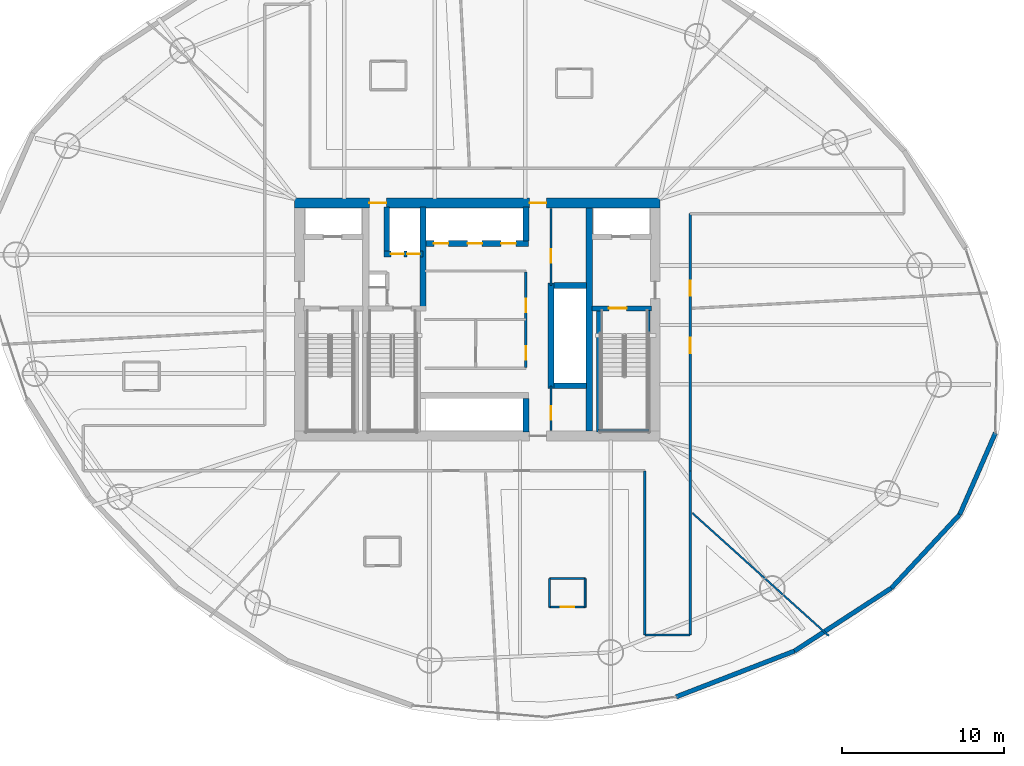
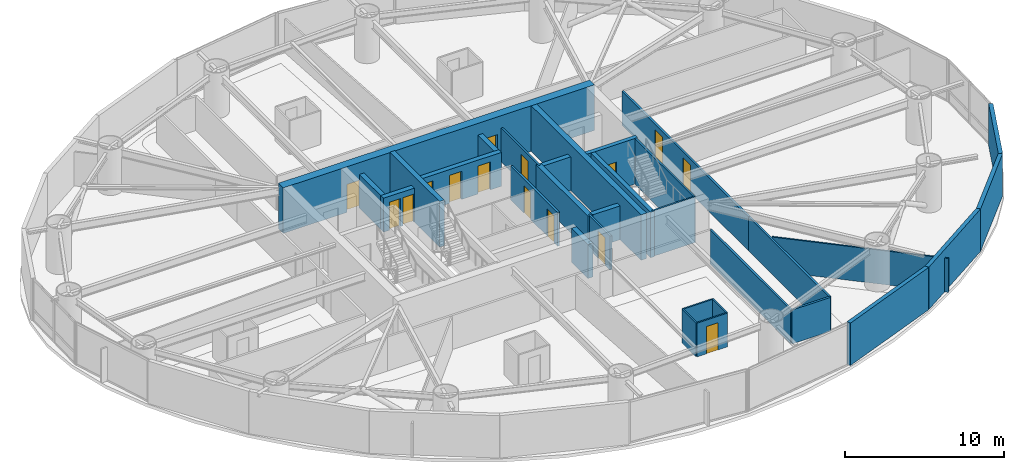
# One storey, part 19 of 24: 31 walls, 15 doors, 15 openings.
"""IFC4 building model written with IfcOpenShell, lengths in metres."""

from ifc_helpers import new_model, si_unit, direction, frame, frame_2d, origin, place, context, subcontext, project, spatial, rectangle, extrude, material, layer, layer_set, type_object, element, fill, save


model = new_model("IFC4")

# Units and contexts
model_context = context("Model", 3, precision=1e-05, world=origin(), true_north=direction((0.0, 1.0)))
body_context = subcontext(model_context, "Body", "Model", "MODEL_VIEW")
ifc_project = project(units=[si_unit("LENGTHUNIT", "METRE"), si_unit("AREAUNIT", "SQUARE_METRE"), si_unit("VOLUMEUNIT", "CUBIC_METRE"), si_unit("PLANEANGLEUNIT", "RADIAN"), si_unit("MASSUNIT", "GRAM", prefix="KILO")], contexts=[model_context])

# Site, building, storey
site_placement = place(None, origin())
site = spatial("IfcSite", under=ifc_project, at=site_placement, CompositionType="ELEMENT")
building_placement = place(site_placement, origin())
building = spatial("IfcBuilding", under=site, at=building_placement, Name="Bramvorn Convention Spire", CompositionType="ELEMENT")
storey_placement = place(building_placement, frame((0.0, 0.0, 83.39990234375)))
storey = spatial("IfcBuildingStorey", under=building, at=storey_placement, Name="L19", CompositionType="ELEMENT", Elevation=83.39990234375)

# Wall, openings, doors
ifc_material_1 = material(Name="Concrete C60/70", Category="concrete")
ifc_layer_1 = layer(ifc_material_1, 0.60009765625)
ifc_layer_set_1 = layer_set([ifc_layer_1], Name="Concrete C60/70 - WL-CORE-600")
wall_type_1 = type_object("IfcWallType", Name="WL-CORE-600", PredefinedType="SHEAR", material=ifc_layer_set_1)
wall_1_placement = place(storey_placement, frame((26.699951171875, 33.199951171875, 0.0), z_axis=(0.0, 0.0, 1.0), x_axis=(1.0, 0.0, 0.0)))
wall_1 = element("IfcWall", 1, at=wall_1_placement, inside=storey, type_object=wall_type_1, Name="L19 North RC core shear wall", PredefinedType="SHEAR", context=body_context, shape_type="SweptSolid", body=[
    extrude(rectangle(XDim=22.60009765625, YDim=0.60009765625, at=frame_2d((11.300048828125, 0.0))), origin(), (0.0, 0.0, 1.0), 3.5),
])
opening_1_placement = place(wall_1_placement, frame((4.6201171875, 0.0, 0.0)))
opening_1 = element("IfcOpeningElement", 2, at=opening_1_placement, cuts=wall_1, Name="Opening DL-105", PredefinedType="OPENING", context=body_context, shape_type="SweptSolid", body=[
    extrude(rectangle(XDim=1.050048828125, YDim=2.14990234375, at=frame_2d((0.52490234375, 1.074951171875))), frame((0.0, 0.31005859375, 0.0), z_axis=(0.0, -1.0, 0.0), x_axis=(1.0, 0.0, 0.0)), (0.0, 0.0, 1.0), 0.6201171875),
])
opening_2_placement = place(wall_1_placement, frame((14.52001953125, 0.0, 0.0)))
opening_2 = element("IfcOpeningElement", 3, at=opening_2_placement, cuts=wall_1, Name="Opening DL-105", PredefinedType="OPENING", context=body_context, shape_type="SweptSolid", body=[
    extrude(rectangle(XDim=1.050048828125, YDim=2.14990234375, at=frame_2d((0.52490234375, 1.074951171875))), frame((0.0, 0.31005859375, 0.0), z_axis=(0.0, -1.0, 0.0), x_axis=(1.0, 0.0, 0.0)), (0.0, 0.0, 1.0), 0.6201171875),
])
ifc_material_2 = material(Name="Smoke-Sealed Fire Lobby Timber-Core Door", Category="wood")
door_type_1 = type_object("IfcDoorType", Name="DR-LOBBY-1050", OperationType="NOTDEFINED", PredefinedType="DOOR", material=ifc_material_2)
door_1_placement = place(opening_1_placement, origin())
door_1 = element("IfcDoor", 4, at=door_1_placement, inside=storey, type_object=door_type_1, Name="L19 Service & Stair ST3 Lobby north corridor door", OperationType="SINGLE_SWING_LEFT", OverallHeight=2.14990234375, OverallWidth=1.050048828125, PredefinedType="DOOR", context=body_context, shape_type="SweptSolid", body=[
    extrude(rectangle(XDim=1.050048828125, YDim=2.14990234375, at=frame_2d((0.52490234375, 1.074951171875))), frame((0.0, 0.02490234375, 0.0), z_axis=(0.0, -1.0, 0.0), x_axis=(1.0, 0.0, 0.0)), (0.0, 0.0, 1.0), 0.050048828125),
])
fill(opening_1, door_1)
door_2_placement = place(opening_2_placement, origin())
door_2 = element("IfcDoor", 5, at=door_2_placement, inside=storey, type_object=door_type_1, Name="L19 North Lift Lobby fire door", OperationType="SINGLE_SWING_LEFT", OverallHeight=2.14990234375, OverallWidth=1.050048828125, PredefinedType="DOOR", context=body_context, shape_type="SweptSolid", body=[
    extrude(rectangle(XDim=1.050048828125, YDim=2.14990234375, at=frame_2d((0.52490234375, 1.074951171875))), frame((0.0, 0.02490234375, 0.0), z_axis=(0.0, -1.0, 0.0), x_axis=(1.0, 0.0, 0.0)), (0.0, 0.0, 1.0), 0.050048828125),
])
fill(opening_2, door_2)

# Wall
ifc_material_3 = material(Name="Concrete C50/60", Category="concrete")
ifc_layer_2 = layer(ifc_material_3, 0.35009765625)
ifc_layer_set_2 = layer_set([ifc_layer_2], Name="Concrete C50/60 - WL-CORE-INT-350")
wall_type_2 = type_object("IfcWallType", Name="WL-CORE-INT-350", PredefinedType="SHEAR", material=ifc_layer_set_2)
wall_2_placement = place(storey_placement, frame((34.639892578125, 26.68994140625, 0.0), z_axis=(0.0, 0.0, 1.0), x_axis=(0.0, 1.0, 0.0)))
element("IfcWall", 6, at=wall_2_placement, inside=storey, type_object=wall_type_2, Name="L19 SV east core shaft wall", PredefinedType="SHEAR", context=body_context, shape_type="SweptSolid", body=[
    extrude(rectangle(XDim=6.260009765625, YDim=0.35009765625, at=frame_2d((3.1298828125, 0.0))), origin(), (0.0, 0.0, 1.0), 3.5),
])

# Wall, openings, doors
wall_3_placement = place(storey_placement, frame((32.22998046875, 30.050048828125, 0.0), z_axis=(0.0, 0.0, 1.0), x_axis=(1.0, 0.0, 0.0)))
wall_3 = element("IfcWall", 7, at=wall_3_placement, inside=storey, type_object=wall_type_2, Name="L19 SV1/SV2 shaft front wall", PredefinedType="SHEAR", context=body_context, shape_type="SweptSolid", body=[
    extrude(rectangle(XDim=2.409912109375, YDim=0.35009765625, at=frame_2d((1.205078125, 0.0))), origin(), (0.0, 0.0, 1.0), 2.60009765625),
])
opening_3_placement = place(wall_3_placement, frame((0.419921875, 0.0, 0.0)))
opening_3 = element("IfcOpeningElement", 8, at=opening_3_placement, cuts=wall_3, Name="Opening LD-080", PredefinedType="OPENING", context=body_context, shape_type="SweptSolid", body=[
    extrude(rectangle(XDim=0.800048828125, YDim=2.14990234375, at=frame_2d((0.39990234375, 1.074951171875))), frame((0.0, 0.18505859375, 0.0), z_axis=(0.0, -1.0, 0.0), x_axis=(1.0, 0.0, 0.0)), (0.0, 0.0, 1.0), 0.3701171875),
])
opening_4_placement = place(wall_3_placement, frame((1.419921875, 0.0, 0.0)))
opening_4 = element("IfcOpeningElement", 9, at=opening_4_placement, cuts=wall_3, Name="Opening LD-080", PredefinedType="OPENING", context=body_context, shape_type="SweptSolid", body=[
    extrude(rectangle(XDim=0.800048828125, YDim=2.14990234375, at=frame_2d((0.39990234375, 1.074951171875))), frame((0.0, 0.18505859375, 0.0), z_axis=(0.0, -1.0, 0.0), x_axis=(1.0, 0.0, 0.0)), (0.0, 0.0, 1.0), 0.3701171875),
])
ifc_material_4 = material(Name="Service Lift Bi-Parting Landing Door", Category="steel")
door_type_2 = type_object("IfcDoorType", Name="DR-LIFT-LD-800", OperationType="NOTDEFINED", PredefinedType="DOOR", material=ifc_material_4)
door_3_placement = place(opening_3_placement, origin())
door_3 = element("IfcDoor", 10, at=door_3_placement, inside=storey, type_object=door_type_2, Name="L19 Lift SV1 Sliding Landing Door", OperationType="SLIDING_TO_LEFT", OverallHeight=2.14990234375, OverallWidth=0.800048828125, PredefinedType="DOOR", context=body_context, shape_type="SweptSolid", body=[
    extrude(rectangle(XDim=0.800048828125, YDim=2.14990234375, at=frame_2d((0.39990234375, 1.074951171875))), frame((0.0, 0.02490234375, 0.0), z_axis=(0.0, -1.0, 0.0), x_axis=(1.0, 0.0, 0.0)), (0.0, 0.0, 1.0), 0.050048828125),
])
fill(opening_3, door_3)
door_4_placement = place(opening_4_placement, origin())
door_4 = element("IfcDoor", 11, at=door_4_placement, inside=storey, type_object=door_type_2, Name="L19 Lift SV2 Sliding Landing Door", OperationType="SLIDING_TO_LEFT", OverallHeight=2.14990234375, OverallWidth=0.800048828125, PredefinedType="DOOR", context=body_context, shape_type="SweptSolid", body=[
    extrude(rectangle(XDim=0.800048828125, YDim=2.14990234375, at=frame_2d((0.39990234375, 1.074951171875))), frame((0.0, 0.02490234375, 0.0), z_axis=(0.0, -1.0, 0.0), x_axis=(1.0, 0.0, 0.0)), (0.0, 0.0, 1.0), 0.050048828125),
])
fill(opening_4, door_4)

# Walls
wall_4_placement = place(storey_placement, frame((32.39990234375, 30.219970703125, 0.0), z_axis=(0.0, 0.0, 1.0), x_axis=(0.0, 1.0, 0.0)))
element("IfcWall", 12, at=wall_4_placement, inside=storey, type_object=wall_type_2, Name="L19 SV1 west hoistway wall", PredefinedType="SHEAR", context=body_context, shape_type="SweptSolid", body=[
    extrude(rectangle(XDim=2.72998046875, YDim=0.35009765625, at=frame_2d((1.364990234375, 0.0))), origin(), (0.0, 0.0, 1.0), 2.60009765625),
])
wall_5_placement = place(storey_placement, frame((42.550048828125, 21.72998046875, 0.0), z_axis=(0.0, 0.0, 1.0), x_axis=(0.0, 1.0, 0.0)))
element("IfcWall", 13, at=wall_5_placement, inside=storey, type_object=wall_type_2, Name="L19 High-rise lift bank west wall", PredefinedType="SHEAR", context=body_context, shape_type="SweptSolid", body=[
    extrude(rectangle(XDim=6.5400390625, YDim=0.35009765625, at=frame_2d((3.27001953125, 0.0))), origin(), (0.0, 0.0, 1.0), 2.60009765625),
])
for number, where, z_axis, x_axis, name in (
    (14, (42.719970703125, 21.89990234375, 0.0), (0.0, 0.0, 1.0), (1.0, 0.0, 0.0), "L19 High-rise lift bank south wall"),
    (15, (42.719970703125, 28.10009765625, 0.0), (0.0, 0.0, 1.0), (1.0, 0.0, 0.0), "L19 High-rise lift bank north wall"),
):
    element("IfcWall", number, at=place(storey_placement, frame(where, z_axis=z_axis, x_axis=x_axis)), inside=storey, type_object=wall_type_2, Name=name, PredefinedType="SHEAR", context=body_context, shape_type="SweptSolid", body=[
        extrude(rectangle(XDim=2.030029296875, YDim=0.35009765625, at=frame_2d((1.01513671875, 0.0))), origin(), (0.0, 0.0, 1.0), 2.60009765625),
    ])

# Wall, openings, doors
wall_6_placement = place(storey_placement, frame((34.81005859375, 30.699951171875, 0.0), z_axis=(0.0, 0.0, 1.0), x_axis=(1.0, 0.0, 0.0)))
wall_6 = element("IfcWall", 16, at=wall_6_placement, inside=storey, type_object=wall_type_2, Name="L19 Low-rise bank south landing wall", PredefinedType="SHEAR", context=body_context, shape_type="SweptSolid", body=[
    extrude(rectangle(XDim=6.35986328125, YDim=0.35009765625, at=frame_2d((3.179931640625, 0.0))), origin(), (0.0, 0.0, 1.0), 2.60009765625),
])
opening_5_placement = place(wall_6_placement, frame((0.5, 0.0, 0.0)))
opening_5 = element("IfcOpeningElement", 17, at=opening_5_placement, cuts=wall_6, Name="Opening LD-090", PredefinedType="OPENING", context=body_context, shape_type="SweptSolid", body=[
    extrude(rectangle(XDim=0.89990234375, YDim=2.14990234375, at=frame_2d((0.449951171875, 1.074951171875))), frame((0.0, 0.18505859375, 0.0), z_axis=(0.0, -1.0, 0.0), x_axis=(1.0, 0.0, 0.0)), (0.0, 0.0, 1.0), 0.3701171875),
])
opening_6_placement = place(wall_6_placement, frame((2.580078125, 0.0, 0.0)))
opening_6 = element("IfcOpeningElement", 18, at=opening_6_placement, cuts=wall_6, Name="Opening LD-090", PredefinedType="OPENING", context=body_context, shape_type="SweptSolid", body=[
    extrude(rectangle(XDim=0.89990234375, YDim=2.14990234375, at=frame_2d((0.449951171875, 1.074951171875))), frame((0.0, 0.18505859375, 0.0), z_axis=(0.0, -1.0, 0.0), x_axis=(1.0, 0.0, 0.0)), (0.0, 0.0, 1.0), 0.3701171875),
])
opening_7_placement = place(wall_6_placement, frame((4.659912109375, 0.0, 0.0)))
opening_7 = element("IfcOpeningElement", 19, at=opening_7_placement, cuts=wall_6, Name="Opening LD-090", PredefinedType="OPENING", context=body_context, shape_type="SweptSolid", body=[
    extrude(rectangle(XDim=0.89990234375, YDim=2.14990234375, at=frame_2d((0.449951171875, 1.074951171875))), frame((0.0, 0.18505859375, 0.0), z_axis=(0.0, -1.0, 0.0), x_axis=(1.0, 0.0, 0.0)), (0.0, 0.0, 1.0), 0.3701171875),
])
ifc_material_5 = material(Name="Bi-Parting Fire-Rated Lift Landing Door", Category="steel")
door_type_3 = type_object("IfcDoorType", Name="DR-LIFT-LD-900", OperationType="NOTDEFINED", PredefinedType="DOOR", material=ifc_material_5)
door_5_placement = place(opening_5_placement, origin())
door_5 = element("IfcDoor", 20, at=door_5_placement, inside=storey, type_object=door_type_3, Name="L19 Lift PL1 Sliding Landing Door", OperationType="SLIDING_TO_LEFT", OverallHeight=2.14990234375, OverallWidth=0.89990234375, PredefinedType="DOOR", context=body_context, shape_type="SweptSolid", body=[
    extrude(rectangle(XDim=0.89990234375, YDim=2.14990234375, at=frame_2d((0.449951171875, 1.074951171875))), frame((0.0, 0.02490234375, 0.0), z_axis=(0.0, -1.0, 0.0), x_axis=(1.0, 0.0, 0.0)), (0.0, 0.0, 1.0), 0.050048828125),
])
fill(opening_5, door_5)
door_6_placement = place(opening_6_placement, origin())
door_6 = element("IfcDoor", 21, at=door_6_placement, inside=storey, type_object=door_type_3, Name="L19 Lift PL2 Sliding Landing Door", OperationType="SLIDING_TO_LEFT", OverallHeight=2.14990234375, OverallWidth=0.89990234375, PredefinedType="DOOR", context=body_context, shape_type="SweptSolid", body=[
    extrude(rectangle(XDim=0.89990234375, YDim=2.14990234375, at=frame_2d((0.449951171875, 1.074951171875))), frame((0.0, 0.02490234375, 0.0), z_axis=(0.0, -1.0, 0.0), x_axis=(1.0, 0.0, 0.0)), (0.0, 0.0, 1.0), 0.050048828125),
])
fill(opening_6, door_6)
door_7_placement = place(opening_7_placement, origin())
door_7 = element("IfcDoor", 22, at=door_7_placement, inside=storey, type_object=door_type_3, Name="L19 Lift PL3 Sliding Landing Door", OperationType="SLIDING_TO_LEFT", OverallHeight=2.14990234375, OverallWidth=0.89990234375, PredefinedType="DOOR", context=body_context, shape_type="SweptSolid", body=[
    extrude(rectangle(XDim=0.89990234375, YDim=2.14990234375, at=frame_2d((0.449951171875, 1.074951171875))), frame((0.0, 0.02490234375, 0.0), z_axis=(0.0, -1.0, 0.0), x_axis=(1.0, 0.0, 0.0)), (0.0, 0.0, 1.0), 0.050048828125),
])
fill(opening_7, door_7)

# Walls
for number, where, z_axis, x_axis, name in (
    (23, (41.0, 30.8701171875, 0.0), (0.0, 0.0, 1.0), (0.0, 1.0, 0.0), "L19 Low-rise bank east cheek wall"),
    (24, (41.0, 19.050048828125, 0.0), (0.0, 0.0, 1.0), (0.0, 1.0, 0.0), "L19 Mid-rise bank east cheek wall"),
):
    element("IfcWall", number, at=place(storey_placement, frame(where, z_axis=z_axis, x_axis=x_axis)), inside=storey, type_object=wall_type_2, Name=name, PredefinedType="SHEAR", context=body_context, shape_type="SweptSolid", body=[
        extrude(rectangle(XDim=2.079833984375, YDim=0.35009765625, at=frame_2d((1.0400390625, 0.0))), origin(), (0.0, 0.0, 1.0), 2.60009765625),
    ])
ifc_layer_3 = layer(ifc_material_1, 0.39990234375)
ifc_layer_set_3 = layer_set([ifc_layer_3], Name="Concrete C60/70 - WL-CORE-INT-400")
wall_type_3 = type_object("IfcWallType", Name="WL-CORE-INT-400", PredefinedType="SHEAR", material=ifc_layer_set_3)
wall_7_placement = place(storey_placement, frame((44.89990234375, 19.10009765625, 0.0), z_axis=(0.0, 0.0, 1.0), x_axis=(0.0, 1.0, 0.0)))
element("IfcWall", 25, at=wall_7_placement, inside=storey, type_object=wall_type_3, Name="L19 East internal core shear web", PredefinedType="SHEAR", context=body_context, shape_type="SweptSolid", body=[
    extrude(rectangle(XDim=13.7998046875, YDim=0.39990234375, at=frame_2d((6.89990234375, 0.0))), origin(), (0.0, 0.0, 1.0), 3.5),
])
ifc_material_6 = material(Name="Precast Concrete C40/50 with Bronze Terracotta Rainscreen", Category="masonry")
ifc_layer_4 = layer(ifc_material_6, 0.300048828125)
ifc_layer_set_4 = layer_set([ifc_layer_4], Name="Precast Concrete C40/50 with Bronze Terracotta Rainscreen - WL-EXT-BRONZE-300")
wall_type_4 = type_object("IfcWallType", Name="WL-EXT-BRONZE-300", PredefinedType="SOLIDWALL", material=ifc_layer_set_4)
wall_8_placement = place(storey_placement, frame((57.601318359375, 5.50830078125, 0.0), z_axis=(0.0, 0.0, 1.0), x_axis=(-0.932540382357, -0.361065693846, 0.0)))
element("IfcWall", 26, at=wall_8_placement, inside=storey, type_object=wall_type_4, Name="L19 expressed bronze Gothic lancet pier wall 21", PredefinedType="SOLIDWALL", context=body_context, shape_type="SweptSolid", body=[
    extrude(rectangle(XDim=7.844970703125, YDim=0.280029296875, at=frame_2d((3.92236328125, 0.0))), origin(), (0.0, 0.0, 1.0), 3.25),
])
wall_9_placement = place(storey_placement, frame((63.5908203125, 9.39990234375, 0.0), z_axis=(0.0, 0.0, 1.0), x_axis=(-0.838544340637, -0.544833358731, 0.0)))
element("IfcWall", 27, at=wall_9_placement, inside=storey, type_object=wall_type_4, Name="L19 expressed bronze Gothic lancet pier wall 22", PredefinedType="SOLIDWALL", context=body_context, shape_type="SweptSolid", body=[
    extrude(rectangle(XDim=7.142822265625, YDim=0.280029296875, at=frame_2d((3.5712890625, 0.0))), origin(), (0.0, 0.0, 1.0), 3.25),
])
wall_10_placement = place(storey_placement, frame((67.817138671875, 13.952880859375, 0.0), z_axis=(0.0, 0.0, 1.0), x_axis=(-0.680325974801, -0.732909658833, 0.0)))
element("IfcWall", 28, at=wall_10_placement, inside=storey, type_object=wall_type_4, Name="L19 expressed bronze Gothic lancet pier wall 23", PredefinedType="SOLIDWALL", context=body_context, shape_type="SweptSolid", body=[
    extrude(rectangle(XDim=6.212158203125, YDim=0.280029296875, at=frame_2d((3.10595703125, 0.0))), origin(), (0.0, 0.0, 1.0), 3.25),
])
wall_11_placement = place(storey_placement, frame((70.021484375, 18.989013671875, 0.0), z_axis=(0.0, 0.0, 1.0), x_axis=(-0.400977247708, -0.916088012595, 0.0)))
element("IfcWall", 29, at=wall_11_placement, inside=storey, type_object=wall_type_4, Name="L19 expressed bronze Gothic lancet pier wall 24", PredefinedType="SOLIDWALL", context=body_context, shape_type="SweptSolid", body=[
    extrude(rectangle(XDim=5.497314453125, YDim=0.280029296875, at=frame_2d((2.74853515625, 0.0))), origin(), (0.0, 0.0, 1.0), 3.25),
])
ifc_material_7 = material(Name="Lightweight En-Suite & Wet-Wall Partition", Category="gypsum")
ifc_layer_5 = layer(ifc_material_7, 0.110107421875)
ifc_layer_set_5 = layer_set([ifc_layer_5], Name="Lightweight En-Suite & Wet-Wall Partition - WL-PART-110")
wall_type_5 = type_object("IfcWallType", Name="WL-PART-110", PredefinedType="PARTITIONING", material=ifc_layer_set_5)
wall_12_placement = place(storey_placement, frame((51.2900390625, 14.03369140625, 0.0), z_axis=(0.0, 0.0, 1.0), x_axis=(0.743147463393, -0.669127676646, 0.0)))
element("IfcWall", 30, at=wall_12_placement, inside=storey, type_object=wall_type_5, Name="L19 Guestroom demising wall 8", PredefinedType="PARTITIONING", context=body_context, shape_type="SweptSolid", body=[
    extrude(rectangle(XDim=11.339599609375, YDim=0.110107421875, at=frame_2d((5.669921875, 0.0))), origin(), (0.0, 0.0, 1.0), 2.60009765625),
])

# Wall, opening, door
wall_13_placement = place(storey_placement, frame((42.45849609375, 8.228515625, 0.0), z_axis=(0.0, 0.0, 1.0), x_axis=(1.0, 0.0, 0.0)))
wall_13 = element("IfcWall", 31, at=wall_13_placement, inside=storey, type_object=wall_type_5, Name="Hotel Suite 1907 en-suite south wall", PredefinedType="PARTITIONING", context=body_context, shape_type="SweptSolid", body=[
    extrude(rectangle(XDim=2.199951171875, YDim=0.110107421875, at=frame_2d((1.10009765625, 0.0))), origin(), (0.0, 0.0, 1.0), 2.60009765625),
])
opening_8_placement = place(wall_13_placement, frame((0.679931640625, 0.0, 0.0)))
opening_8 = element("IfcOpeningElement", 32, at=opening_8_placement, cuts=wall_13, Name="Opening DI-085", PredefinedType="OPENING", context=body_context, shape_type="SweptSolid", body=[
    extrude(rectangle(XDim=0.85009765625, YDim=2.10009765625, at=frame_2d((0.425048828125, 1.050048828125))), frame((0.0, 0.06494140625, 0.0), z_axis=(0.0, -1.0, 0.0), x_axis=(1.0, 0.0, 0.0)), (0.0, 0.0, 1.0), 0.130126953125),
])
ifc_material_8 = material(Name="En-Suite & Restroom Privacy Door", Category="wood")
door_type_4 = type_object("IfcDoorType", Name="DR-INT-850", OperationType="NOTDEFINED", PredefinedType="DOOR", material=ifc_material_8)
door_8_placement = place(opening_8_placement, origin())
door_8 = element("IfcDoor", 33, at=door_8_placement, inside=storey, type_object=door_type_4, Name="Hotel Suite 1907 En-Suite Bathroom door", OperationType="SINGLE_SWING_LEFT", OverallHeight=2.10009765625, OverallWidth=0.85009765625, PredefinedType="DOOR", context=body_context, shape_type="SweptSolid", body=[
    extrude(rectangle(XDim=0.85009765625, YDim=2.10009765625, at=frame_2d((0.425048828125, 1.050048828125))), frame((0.0, 0.02490234375, 0.0), z_axis=(0.0, -1.0, 0.0), x_axis=(1.0, 0.0, 0.0)), (0.0, 0.0, 1.0), 0.050048828125),
])
fill(opening_8, door_8)

# Walls
wall_14_placement = place(storey_placement, frame((42.45849609375, 9.98828125, 0.0), z_axis=(0.0, 0.0, 1.0), x_axis=(1.0, 0.0, 0.0)))
element("IfcWall", 34, at=wall_14_placement, inside=storey, type_object=wall_type_5, Name="Hotel Suite 1907 en-suite north wall", PredefinedType="PARTITIONING", context=body_context, shape_type="SweptSolid", body=[
    extrude(rectangle(XDim=2.199951171875, YDim=0.110107421875, at=frame_2d((1.10009765625, 0.0))), origin(), (0.0, 0.0, 1.0), 2.60009765625),
])
for number, where, z_axis, x_axis, name in (
    (35, (42.45849609375, 8.228515625, 0.0), (0.0, 0.0, 1.0), (0.0, 1.0, 0.0), "Hotel Suite 1907 en-suite west wall"),
    (36, (44.658447265625, 8.228515625, 0.0), (0.0, 0.0, 1.0), (0.0, 1.0, 0.0), "Hotel Suite 1907 en-suite east wall"),
):
    element("IfcWall", number, at=place(storey_placement, frame(where, z_axis=z_axis, x_axis=x_axis)), inside=storey, type_object=wall_type_5, Name=name, PredefinedType="PARTITIONING", context=body_context, shape_type="SweptSolid", body=[
        extrude(rectangle(XDim=1.759765625, YDim=0.110107421875, at=frame_2d((0.8798828125, 0.0))), origin(), (0.0, 0.0, 1.0), 2.60009765625),
    ])

# Wall, opening, door
ifc_material_9 = material(Name="Metal-Stud Demountable Office Partition", Category="gypsum")
ifc_layer_6 = layer(ifc_material_9, 0.1298828125)
ifc_layer_set_6 = layer_set([ifc_layer_6], Name="Metal-Stud Demountable Office Partition - WL-PART-130")
wall_type_6 = type_object("IfcWallType", Name="WL-PART-130", PredefinedType="PARTITIONING", material=ifc_layer_set_6)
wall_15_placement = place(storey_placement, frame((42.550048828125, 28.10009765625, 0.0), z_axis=(0.0, 0.0, 1.0), x_axis=(0.0, 1.0, 0.0)))
wall_15 = element("IfcWall", 37, at=wall_15_placement, inside=storey, type_object=wall_type_6, Name="L19 KA NE IDF wall", PredefinedType="PARTITIONING", context=body_context, shape_type="SweptSolid", body=[
    extrude(rectangle(XDim=4.75, YDim=0.1298828125, at=frame_2d((2.375, 0.0))), origin(), (0.0, 0.0, 1.0), 2.60009765625),
])
opening_9_placement = place(wall_15_placement, frame((1.39990234375, 0.0, 0.0)))
opening_9 = element("IfcOpeningElement", 38, at=opening_9_placement, cuts=wall_15, Name="Opening DC-085", PredefinedType="OPENING", context=body_context, shape_type="SweptSolid", body=[
    extrude(rectangle(XDim=0.85009765625, YDim=2.10009765625, at=frame_2d((0.425048828125, 1.050048828125))), frame((0.0, 0.074951171875, 0.0), z_axis=(0.0, -1.0, 0.0), x_axis=(1.0, 0.0, 0.0)), (0.0, 0.0, 1.0), 0.14990234375),
])
ifc_material_10 = material(Name="Fire-Rated Core Washroom & IDF Door", Category="wood")
door_type_5 = type_object("IfcDoorType", Name="DR-CORE-850", OperationType="NOTDEFINED", PredefinedType="DOOR", material=ifc_material_10)
door_9_placement = place(opening_9_placement, origin())
door_9 = element("IfcDoor", 39, at=door_9_placement, inside=storey, type_object=door_type_5, Name="L19 Core IDF & BMS Room door", OperationType="SINGLE_SWING_LEFT", OverallHeight=2.10009765625, OverallWidth=0.85009765625, PredefinedType="DOOR", context=body_context, shape_type="SweptSolid", body=[
    extrude(rectangle(XDim=0.85009765625, YDim=2.10009765625, at=frame_2d((0.425048828125, 1.050048828125))), frame((0.0, 0.02490234375, 0.0), z_axis=(0.0, -1.0, 0.0), x_axis=(1.0, 0.0, 0.0)), (0.0, 0.0, 1.0), 0.050048828125),
])
fill(opening_9, door_9)

wall_16_placement = place(storey_placement, frame((42.550048828125, 19.14990234375, 0.0), z_axis=(0.0, 0.0, 1.0), x_axis=(0.0, 1.0, 0.0)))
wall_16 = element("IfcWall", 40, at=wall_16_placement, inside=storey, type_object=wall_type_6, Name="L19 KA SE store wall", PredefinedType="PARTITIONING", context=body_context, shape_type="SweptSolid", body=[
    extrude(rectangle(XDim=2.75, YDim=0.1298828125, at=frame_2d((1.375, 0.0))), origin(), (0.0, 0.0, 1.0), 2.60009765625),
])
opening_10_placement = place(wall_16_placement, frame((0.64990234375, 0.0, 0.0)))
opening_10 = element("IfcOpeningElement", 41, at=opening_10_placement, cuts=wall_16, Name="Opening DC-085", PredefinedType="OPENING", context=body_context, shape_type="SweptSolid", body=[
    extrude(rectangle(XDim=0.85009765625, YDim=2.10009765625, at=frame_2d((0.425048828125, 1.050048828125))), frame((0.0, 0.074951171875, 0.0), z_axis=(0.0, -1.0, 0.0), x_axis=(1.0, 0.0, 0.0)), (0.0, 0.0, 1.0), 0.14990234375),
])
door_10_placement = place(opening_10_placement, origin())
door_10 = element("IfcDoor", 42, at=door_10_placement, inside=storey, type_object=door_type_5, Name="L19 Floor Housekeeping & Linen Store door", OperationType="SINGLE_SWING_LEFT", OverallHeight=2.10009765625, OverallWidth=0.85009765625, PredefinedType="DOOR", context=body_context, shape_type="SweptSolid", body=[
    extrude(rectangle(XDim=0.85009765625, YDim=2.10009765625, at=frame_2d((0.425048828125, 1.050048828125))), frame((0.0, 0.02490234375, 0.0), z_axis=(0.0, -1.0, 0.0), x_axis=(1.0, 0.0, 0.0)), (0.0, 0.0, 1.0), 0.050048828125),
])
fill(opening_10, door_10)

# Wall, openings, doors
ifc_material_11 = material(Name="Acoustic Metal-Stud Tenant/Corridor Partition", Category="gypsum")
ifc_layer_7 = layer(ifc_material_11, 0.14990234375)
ifc_layer_set_7 = layer_set([ifc_layer_7], Name="Acoustic Metal-Stud Tenant/Corridor Partition - WL-PART-150")
wall_type_7 = type_object("IfcWallType", Name="WL-PART-150", PredefinedType="PARTITIONING", material=ifc_layer_set_7)
wall_17_placement = place(storey_placement, frame((41.0, 23.050048828125, 0.0), z_axis=(0.0, 0.0, 1.0), x_axis=(0.0, 1.0, 0.0)))
wall_17 = element("IfcWall", 43, at=wall_17_placement, inside=storey, type_object=wall_type_7, Name="L19 KA east core wall", PredefinedType="PARTITIONING", context=body_context, shape_type="SweptSolid", body=[
    extrude(rectangle(XDim=5.89990234375, YDim=0.14990234375, at=frame_2d((2.949951171875, 0.0))), origin(), (0.0, 0.0, 1.0), 2.60009765625),
])
opening_11_placement = place(wall_17_placement, frame((3.39990234375, 0.0, 0.0)))
opening_11 = element("IfcOpeningElement", 44, at=opening_11_placement, cuts=wall_17, Name="Opening DC-085", PredefinedType="OPENING", context=body_context, shape_type="SweptSolid", body=[
    extrude(rectangle(XDim=0.85009765625, YDim=2.10009765625, at=frame_2d((0.425048828125, 1.050048828125))), frame((0.0, 0.0849609375, 0.0), z_axis=(0.0, -1.0, 0.0), x_axis=(1.0, 0.0, 0.0)), (0.0, 0.0, 1.0), 0.169921875),
])
opening_12_placement = place(wall_17_placement, frame((0.449951171875, 0.0, 0.0)))
opening_12 = element("IfcOpeningElement", 45, at=opening_12_placement, cuts=wall_17, Name="Opening DC-085", PredefinedType="OPENING", context=body_context, shape_type="SweptSolid", body=[
    extrude(rectangle(XDim=0.85009765625, YDim=2.10009765625, at=frame_2d((0.425048828125, 1.050048828125))), frame((0.0, 0.0849609375, 0.0), z_axis=(0.0, -1.0, 0.0), x_axis=(1.0, 0.0, 0.0)), (0.0, 0.0, 1.0), 0.169921875),
])
door_11_placement = place(opening_11_placement, origin())
door_11 = element("IfcDoor", 46, at=door_11_placement, inside=storey, type_object=door_type_5, Name="L19 Core Linen & Equipment Store door", OperationType="SINGLE_SWING_LEFT", OverallHeight=2.10009765625, OverallWidth=0.85009765625, PredefinedType="DOOR", context=body_context, shape_type="SweptSolid", body=[
    extrude(rectangle(XDim=0.85009765625, YDim=2.10009765625, at=frame_2d((0.425048828125, 1.050048828125))), frame((0.0, 0.02490234375, 0.0), z_axis=(0.0, -1.0, 0.0), x_axis=(1.0, 0.0, 0.0)), (0.0, 0.0, 1.0), 0.050048828125),
])
fill(opening_11, door_11)
door_12_placement = place(opening_12_placement, origin())
door_12 = element("IfcDoor", 47, at=door_12_placement, inside=storey, type_object=door_type_5, Name="L19 Accessible Core Restroom door", OperationType="SINGLE_SWING_LEFT", OverallHeight=2.10009765625, OverallWidth=0.85009765625, PredefinedType="DOOR", context=body_context, shape_type="SweptSolid", body=[
    extrude(rectangle(XDim=0.85009765625, YDim=2.10009765625, at=frame_2d((0.425048828125, 1.050048828125))), frame((0.0, 0.02490234375, 0.0), z_axis=(0.0, -1.0, 0.0), x_axis=(1.0, 0.0, 0.0)), (0.0, 0.0, 1.0), 0.050048828125),
])
fill(opening_12, door_12)

wall_18_placement = place(storey_placement, frame((51.14990234375, 16.64990234375, 0.0), z_axis=(0.0, 0.0, 1.0), x_axis=(0.0, 1.0, 0.0)))
wall_18 = element("IfcWall", 48, at=wall_18_placement, inside=storey, type_object=wall_type_7, Name="L19 East ring corridor wall", PredefinedType="PARTITIONING", context=body_context, shape_type="SweptSolid", body=[
    extrude(rectangle(XDim=15.900146484375, YDim=0.14990234375, at=frame_2d((7.9501953125, 0.0))), origin(), (0.0, 0.0, 1.0), 2.60009765625),
])
opening_13_placement = place(wall_18_placement, frame((10.81201171875, 0.0, 0.0)))
opening_13 = element("IfcOpeningElement", 49, at=opening_13_placement, cuts=wall_18, Name="Opening DH-095", PredefinedType="OPENING", context=body_context, shape_type="SweptSolid", body=[
    extrude(rectangle(XDim=0.949951171875, YDim=2.14990234375, at=frame_2d((0.47509765625, 1.074951171875))), frame((0.0, 0.0849609375, 0.0), z_axis=(0.0, -1.0, 0.0), x_axis=(1.0, 0.0, 0.0)), (0.0, 0.0, 1.0), 0.169921875),
])
opening_14_placement = place(wall_18_placement, frame((7.28125, 0.0, 0.0)))
opening_14 = element("IfcOpeningElement", 50, at=opening_14_placement, cuts=wall_18, Name="Opening DH-095", PredefinedType="OPENING", context=body_context, shape_type="SweptSolid", body=[
    extrude(rectangle(XDim=0.949951171875, YDim=2.14990234375, at=frame_2d((0.47509765625, 1.074951171875))), frame((0.0, 0.0849609375, 0.0), z_axis=(0.0, -1.0, 0.0), x_axis=(1.0, 0.0, 0.0)), (0.0, 0.0, 1.0), 0.169921875),
])
ifc_material_12 = material(Name="Solid-Core Acoustic Guestroom Entry Door", Category="wood")
door_type_6 = type_object("IfcDoorType", Name="DR-HOTEL-950", OperationType="NOTDEFINED", PredefinedType="DOOR", material=ifc_material_12)
door_13_placement = place(opening_13_placement, origin())
door_13 = element("IfcDoor", 51, at=door_13_placement, inside=storey, type_object=door_type_6, Name="L19 Hospitality Lounge 1 door", OperationType="SINGLE_SWING_RIGHT", OverallHeight=2.14990234375, OverallWidth=0.949951171875, PredefinedType="DOOR", context=body_context, shape_type="SweptSolid", body=[
    extrude(rectangle(XDim=0.949951171875, YDim=2.14990234375, at=frame_2d((0.47509765625, 1.074951171875))), frame((0.0, 0.02490234375, 0.0), z_axis=(0.0, -1.0, 0.0), x_axis=(1.0, 0.0, 0.0)), (0.0, 0.0, 1.0), 0.050048828125),
])
fill(opening_13, door_13)
door_14_placement = place(opening_14_placement, origin())
door_14 = element("IfcDoor", 52, at=door_14_placement, inside=storey, type_object=door_type_6, Name="L19 Hospitality Salon 8 door", OperationType="SINGLE_SWING_RIGHT", OverallHeight=2.14990234375, OverallWidth=0.949951171875, PredefinedType="DOOR", context=body_context, shape_type="SweptSolid", body=[
    extrude(rectangle(XDim=0.949951171875, YDim=2.14990234375, at=frame_2d((0.47509765625, 1.074951171875))), frame((0.0, 0.02490234375, 0.0), z_axis=(0.0, -1.0, 0.0), x_axis=(1.0, 0.0, 0.0)), (0.0, 0.0, 1.0), 0.050048828125),
])
fill(opening_14, door_14)

# Walls
for number, where, z_axis, x_axis, name in (
    (53, (48.35009765625, 6.5, 0.0), (0.0, 0.0, 1.0), (0.0, 1.0, 0.0), "L19 SE pinwheel wing west wall"),
    (54, (51.14990234375, 6.5, 0.0), (0.0, 0.0, 1.0), (0.0, 1.0, 0.0), "L19 SE pinwheel wing east wall"),
):
    element("IfcWall", number, at=place(storey_placement, frame(where, z_axis=z_axis, x_axis=x_axis)), inside=storey, type_object=wall_type_7, Name=name, PredefinedType="PARTITIONING", context=body_context, shape_type="SweptSolid", body=[
        extrude(rectangle(XDim=10.14990234375, YDim=0.14990234375, at=frame_2d((5.074951171875, 0.0))), origin(), (0.0, 0.0, 1.0), 2.60009765625),
    ])
wall_19_placement = place(storey_placement, frame((48.35009765625, 6.5, 0.0), z_axis=(0.0, 0.0, 1.0), x_axis=(1.0, 0.0, 0.0)))
element("IfcWall", 55, at=wall_19_placement, inside=storey, type_object=wall_type_7, Name="L19 SE pinwheel end wall", PredefinedType="PARTITIONING", context=body_context, shape_type="SweptSolid", body=[
    extrude(rectangle(XDim=2.7998046875, YDim=0.14990234375, at=frame_2d((1.39990234375, 0.0))), origin(), (0.0, 0.0, 1.0), 2.60009765625),
])

# Wall, opening, door
ifc_layer_8 = layer(ifc_material_3, 0.300048828125)
ifc_layer_set_8 = layer_set([ifc_layer_8], Name="Concrete C50/60 - WL-POD-STAIR-300")
wall_type_8 = type_object("IfcWallType", Name="WL-POD-STAIR-300", PredefinedType="SHEAR", material=ifc_layer_set_8)
wall_20_placement = place(storey_placement, frame((45.080078125, 26.68994140625, 0.0), z_axis=(0.0, 0.0, 1.0), x_axis=(1.0, 0.0, 0.0)))
wall_20 = element("IfcWall", 56, at=wall_20_placement, inside=storey, type_object=wall_type_8, Name="L19 ST2 north fire wall", PredefinedType="SHEAR", context=body_context, shape_type="SweptSolid", body=[
    extrude(rectangle(XDim=3.669921875, YDim=0.300048828125, at=frame_2d((1.8349609375, 0.0))), origin(), (0.0, 0.0, 1.0), 3.5),
])
opening_15_placement = place(wall_20_placement, frame((1.050048828125, 0.0, 0.0)))
opening_15 = element("IfcOpeningElement", 57, at=opening_15_placement, cuts=wall_20, Name="Opening DS-110", PredefinedType="OPENING", context=body_context, shape_type="SweptSolid", body=[
    extrude(rectangle(XDim=1.10009765625, YDim=2.14990234375, at=frame_2d((0.550048828125, 1.074951171875))), frame((0.0, 0.159912109375, 0.0), z_axis=(0.0, -1.0, 0.0), x_axis=(1.0, 0.0, 0.0)), (0.0, 0.0, 1.0), 0.320068359375),
])
ifc_material_13 = material(Name="Fire-Rated Hollow Steel Stairwell Door", Category="steel")
door_type_7 = type_object("IfcDoorType", Name="DR-STAIR-1100", OperationType="NOTDEFINED", PredefinedType="DOOR", material=ifc_material_13)
door_15_placement = place(opening_15_placement, origin())
door_15 = element("IfcDoor", 58, at=door_15_placement, inside=storey, type_object=door_type_7, Name="L19 Stair ST2 fire door", OperationType="SINGLE_SWING_RIGHT", OverallHeight=2.14990234375, OverallWidth=1.10009765625, PredefinedType="DOOR", context=body_context, shape_type="SweptSolid", body=[
    extrude(rectangle(XDim=1.10009765625, YDim=2.14990234375, at=frame_2d((0.550048828125, 1.074951171875))), frame((0.0, 0.02490234375, 0.0), z_axis=(0.0, -1.0, 0.0), x_axis=(1.0, 0.0, 0.0)), (0.0, 0.0, 1.0), 0.050048828125),
])
fill(opening_15, door_15)

# Walls
wall_21_placement = place(storey_placement, frame((45.510009765625, 19.050048828125, 0.0), z_axis=(0.0, 0.0, 1.0), x_axis=(0.0, 1.0, 0.0)))
element("IfcWall", 59, at=wall_21_placement, inside=storey, type_object=wall_type_8, Name="L19 ST2 west bearing wall", PredefinedType="SHEAR", context=body_context, shape_type="SweptSolid", body=[
    extrude(rectangle(XDim=7.5, YDim=0.300048828125, at=frame_2d((3.75, 0.0))), origin(), (0.0, 0.0, 1.0), 3.5),
])
ifc_layer_9 = layer(ifc_material_3, 0.1201171875)
ifc_layer_set_9 = layer_set([ifc_layer_9], Name="Concrete C50/60 - WL-STAIR-RC-120")
wall_type_9 = type_object("IfcWallType", Name="WL-STAIR-RC-120", PredefinedType="SHEAR", material=ifc_layer_set_9)
wall_22_placement = place(storey_placement, frame((48.60498046875, 19.10009765625, 0.0), z_axis=(0.0, 0.0, 1.0), x_axis=(0.0, 1.0, 0.0)))
element("IfcWall", 60, at=wall_22_placement, inside=storey, type_object=wall_type_9, Name="L19 ST2 east bearing shear wall", PredefinedType="SHEAR", context=body_context, shape_type="SweptSolid", body=[
    extrude(rectangle(XDim=7.449951171875, YDim=0.1201171875, at=frame_2d((3.72509765625, 0.0))), origin(), (0.0, 0.0, 1.0), 3.5),
])
wall_23_placement = place(storey_placement, frame((45.510009765625, 19.159912109375, 0.0), z_axis=(0.0, 0.0, 1.0), x_axis=(1.0, 0.0, 0.0)))
element("IfcWall", 61, at=wall_23_placement, inside=storey, type_object=wall_type_9, Name="L19 ST2 south bearing shear wall", PredefinedType="SHEAR", context=body_context, shape_type="SweptSolid", body=[
    extrude(rectangle(XDim=3.094970703125, YDim=0.1201171875, at=frame_2d((1.54736328125, 0.0))), origin(), (0.0, 0.0, 1.0), 3.5),
])

save(model, "model.ifc")
